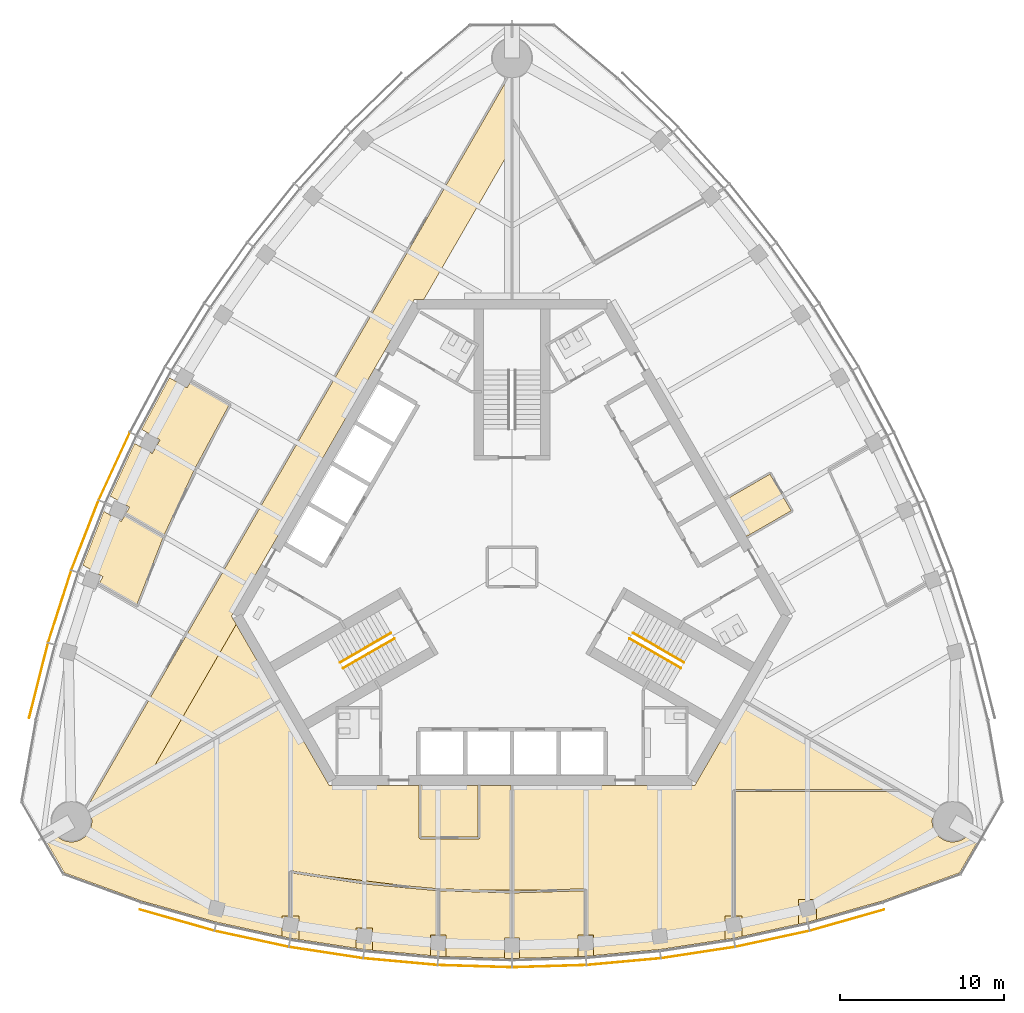
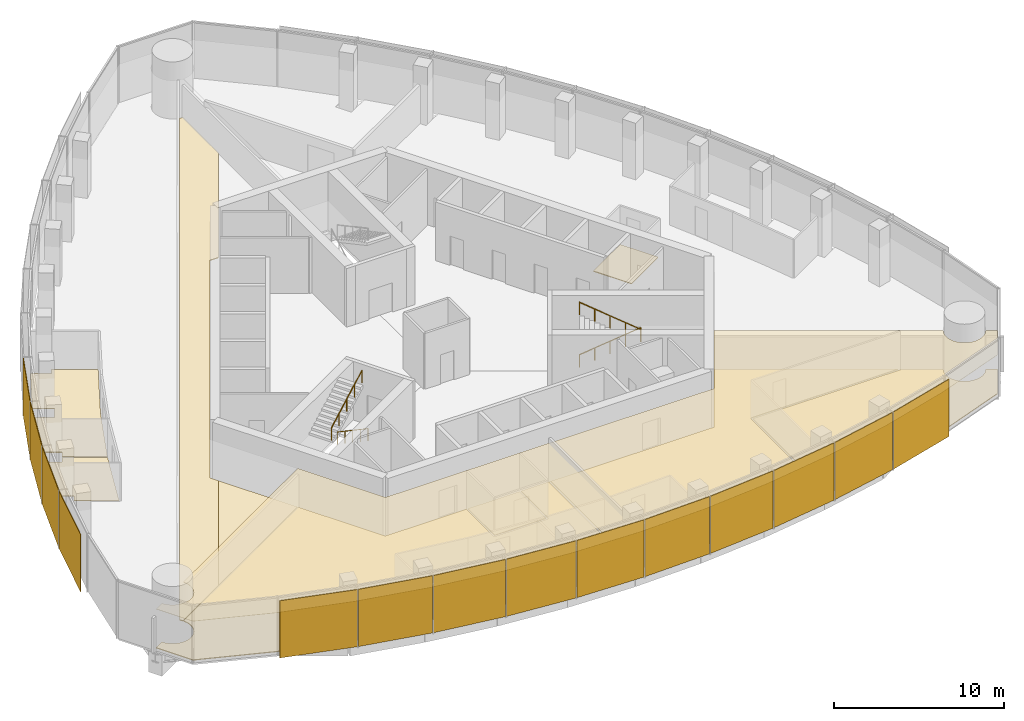
# One storey, part 12 of 16: 14 shading devices, 12 coverings, 4 railings.
"""IFC4 building model written with IfcOpenShell, lengths in metres."""

from ifc_helpers import new_model, si_unit, direction, frame, origin, origin_2d, place, context, subcontext, project, spatial, polyline, rectangle, circle, outline, extrude, material, layer, layer_set, type_object, element, save


model = new_model("IFC4")

# Units and contexts
model_context = context("Model", 3, precision=1e-05, world=origin(), true_north=direction((0.0, 1.0)))
body_context = subcontext(model_context, "Body", "Model", "MODEL_VIEW")
ifc_project = project(units=[si_unit("LENGTHUNIT", "METRE"), si_unit("AREAUNIT", "SQUARE_METRE"), si_unit("VOLUMEUNIT", "CUBIC_METRE"), si_unit("PLANEANGLEUNIT", "RADIAN"), si_unit("MASSUNIT", "GRAM", prefix="KILO")], contexts=[model_context])

# Site, building, storey
site_placement = place(None, origin())
site = spatial("IfcSite", under=ifc_project, at=site_placement, CompositionType="ELEMENT")
building_placement = place(site_placement, origin())
building = spatial("IfcBuilding", under=site, at=building_placement, Name="Trefoil Bronze Tower", CompositionType="ELEMENT")
storey_placement = place(building_placement, frame((0.0, 0.0, 309.89990234375)))
storey = spatial("IfcBuildingStorey", under=building, at=storey_placement, Name="L71", CompositionType="ELEMENT", Elevation=309.89990234375)

# Shading devices
ifc_material_1 = material(Name="Perforated bronze sheet", Category="bronze")
ifc_layer_1 = layer(ifc_material_1, 0.0400390625)
ifc_layer_set_1 = layer_set([ifc_layer_1], Name="Bronze solar screen panel")
shading_device_type = type_object("IfcShadingDeviceType", Name="Bronze solar screen panel", PredefinedType="SHUTTER", material=ifc_layer_set_1)
shading_device_1_placement = place(storey_placement, frame((-20.42138671875, -21.515625, 0.050048828125), z_axis=(0.0, 0.0, 1.0), x_axis=(0.962097746943, -0.272704831875, 0.0)))
element("IfcShadingDevice", 1, at=shading_device_1_placement, inside=storey, type_object=shading_device_type, Name="Solar screen CW-A L71 F1 bay 1", PredefinedType="SHUTTER", context=body_context, shape_type="SweptSolid", body=[
    extrude(rectangle(XDim=4.697509765625, YDim=0.0400390625, at=origin_2d()), origin(), (0.0, 0.0, 1.0), 4.10009765625),
])
shading_device_2_placement = place(storey_placement, frame((-15.864501953125, -22.65625, 0.050048828125), z_axis=(0.0, 0.0, 1.0), x_axis=(0.977303138829, -0.211845639168, 0.0)))
element("IfcShadingDevice", 2, at=shading_device_2_placement, inside=storey, type_object=shading_device_type, Name="Solar screen CW-A L71 F1 bay 2", PredefinedType="SHUTTER", context=body_context, shape_type="SweptSolid", body=[
    extrude(rectangle(XDim=4.574462890625, YDim=0.0400390625, at=origin_2d()), origin(), (0.0, 0.0, 1.0), 4.10009765625),
])
shading_device_3_placement = place(storey_placement, frame((-11.331787109375, -23.494384765625, 0.050048828125), z_axis=(0.0, 0.0, 1.0), x_axis=(0.988485337216, -0.151316681529, 0.0)))
element("IfcShadingDevice", 3, at=shading_device_3_placement, inside=storey, type_object=shading_device_type, Name="Solar screen CW-A L71 F1 bay 3", PredefinedType="SHUTTER", context=body_context, shape_type="SweptSolid", body=[
    extrude(rectangle(XDim=4.5224609375, YDim=0.0400390625, at=origin_2d()), origin(), (0.0, 0.0, 1.0), 4.10009765625),
])
shading_device_4_placement = place(storey_placement, frame((-6.799072265625, -24.048095703125, 0.050048828125), z_axis=(0.0, 0.0, 1.0), x_axis=(0.99587011625, -0.090789380212, 0.0)))
element("IfcShadingDevice", 4, at=shading_device_4_placement, inside=storey, type_object=shading_device_type, Name="Solar screen CW-A L71 F1 bay 4", PredefinedType="SHUTTER", context=body_context, shape_type="SweptSolid", body=[
    extrude(rectangle(XDim=4.48876953125, YDim=0.0400390625, at=origin_2d()), origin(), (0.0, 0.0, 1.0), 4.10009765625),
])
for number, where, z_axis, x_axis, name in (
    (5, (-2.266357421875, -24.3232421875, 0.050048828125), (0.0, 0.0, 1.0), (0.999541969785, -0.030263024264, 0.0), "Solar screen CW-A L71 F1 bay 5"),
    (6, (2.266357421875, -24.3232421875, 0.050048828125), (0.0, 0.0, 1.0), (0.999541969785, 0.030263024264, 0.0), "Solar screen CW-A L71 F1 bay 6"),
):
    element("IfcShadingDevice", number, at=place(storey_placement, frame(where, z_axis=z_axis, x_axis=x_axis)), inside=storey, type_object=shading_device_type, Name=name, PredefinedType="SHUTTER", context=body_context, shape_type="SweptSolid", body=[
        extrude(rectangle(XDim=4.47216796875, YDim=0.0400390625, at=origin_2d()), origin(), (0.0, 0.0, 1.0), 4.10009765625),
    ])
shading_device_5_placement = place(storey_placement, frame((6.799072265625, -24.048095703125, 0.050048828125), z_axis=(0.0, 0.0, 1.0), x_axis=(0.99587011625, 0.090789380212, 0.0)))
element("IfcShadingDevice", 7, at=shading_device_5_placement, inside=storey, type_object=shading_device_type, Name="Solar screen CW-A L71 F1 bay 7", PredefinedType="SHUTTER", context=body_context, shape_type="SweptSolid", body=[
    extrude(rectangle(XDim=4.48876953125, YDim=0.0400390625, at=origin_2d()), origin(), (0.0, 0.0, 1.0), 4.10009765625),
])
shading_device_6_placement = place(storey_placement, frame((11.331787109375, -23.494384765625, 0.050048828125), z_axis=(0.0, 0.0, 1.0), x_axis=(0.988485337216, 0.151316681529, 0.0)))
element("IfcShadingDevice", 8, at=shading_device_6_placement, inside=storey, type_object=shading_device_type, Name="Solar screen CW-A L71 F1 bay 8", PredefinedType="SHUTTER", context=body_context, shape_type="SweptSolid", body=[
    extrude(rectangle(XDim=4.5224609375, YDim=0.0400390625, at=origin_2d()), origin(), (0.0, 0.0, 1.0), 4.10009765625),
])
shading_device_7_placement = place(storey_placement, frame((15.864501953125, -22.65625, 0.050048828125), z_axis=(0.0, 0.0, 1.0), x_axis=(0.977303138829, 0.211845639168, 0.0)))
element("IfcShadingDevice", 9, at=shading_device_7_placement, inside=storey, type_object=shading_device_type, Name="Solar screen CW-A L71 F1 bay 9", PredefinedType="SHUTTER", context=body_context, shape_type="SweptSolid", body=[
    extrude(rectangle(XDim=4.574462890625, YDim=0.0400390625, at=origin_2d()), origin(), (0.0, 0.0, 1.0), 4.10009765625),
])
shading_device_8_placement = place(storey_placement, frame((20.42138671875, -21.515625, 0.050048828125), z_axis=(0.0, 0.0, 1.0), x_axis=(0.962097746943, 0.272704831875, 0.0)))
element("IfcShadingDevice", 10, at=shading_device_8_placement, inside=storey, type_object=shading_device_type, Name="Solar screen CW-A L71 F1 bay 10", PredefinedType="SHUTTER", context=body_context, shape_type="SweptSolid", body=[
    extrude(rectangle(XDim=4.697509765625, YDim=0.0400390625, at=origin_2d()), origin(), (0.0, 0.0, 1.0), 4.10009765625),
])
shading_device_9_placement = place(storey_placement, frame((-24.2255859375, 6.135986328125, 0.050048828125), z_axis=(0.0, 0.0, 1.0), x_axis=(-0.419309148468, -0.907843509649, 0.0)))
element("IfcShadingDevice", 11, at=shading_device_9_placement, inside=storey, type_object=shading_device_type, Name="Solar screen CW-A L71 F3 bay 7", PredefinedType="SHUTTER", context=body_context, shape_type="SweptSolid", body=[
    extrude(rectangle(XDim=4.48876953125, YDim=0.0400390625, at=origin_2d()), origin(), (0.0, 0.0, 1.0), 4.10009765625),
])
shading_device_10_placement = place(storey_placement, frame((-26.0126953125, 1.93359375, 0.050048828125), z_axis=(0.0, 0.0, 1.0), x_axis=(-0.363198578387, -0.931711754062, 0.0)))
element("IfcShadingDevice", 12, at=shading_device_10_placement, inside=storey, type_object=shading_device_type, Name="Solar screen CW-A L71 F3 bay 8", PredefinedType="SHUTTER", context=body_context, shape_type="SweptSolid", body=[
    extrude(rectangle(XDim=4.5224609375, YDim=0.0400390625, at=origin_2d()), origin(), (0.0, 0.0, 1.0), 4.10009765625),
])
shading_device_11_placement = place(storey_placement, frame((-27.55322265625, -2.410888671875, 0.050048828125), z_axis=(0.0, 0.0, 1.0), x_axis=(-0.305187864214, -0.952292165009, 0.0)))
element("IfcShadingDevice", 13, at=shading_device_11_placement, inside=storey, type_object=shading_device_type, Name="Solar screen CW-A L71 F3 bay 9", PredefinedType="SHUTTER", context=body_context, shape_type="SweptSolid", body=[
    extrude(rectangle(XDim=4.574462890625, YDim=0.0400390625, at=origin_2d()), origin(), (0.0, 0.0, 1.0), 4.10009765625),
])
shading_device_12_placement = place(storey_placement, frame((-28.843994140625, -6.927490234375, 0.050048828125), z_axis=(0.0, 0.0, 1.0), x_axis=(-0.244879561333, -0.969553505713, 0.0)))
element("IfcShadingDevice", 14, at=shading_device_12_placement, inside=storey, type_object=shading_device_type, Name="Solar screen CW-A L71 F3 bay 10", PredefinedType="SHUTTER", context=body_context, shape_type="SweptSolid", body=[
    extrude(rectangle(XDim=4.697509765625, YDim=0.0400390625, at=origin_2d()), origin(), (0.0, 0.0, 1.0), 4.10009765625),
])

# Railings
ifc_material_2 = material(Name="Steel handrail", Category="steel")
railing_type = type_object("IfcRailingType", Name="Handrail 900", PredefinedType="HANDRAIL", material=ifc_material_2)
railing_1_placement = place(storey_placement, frame((7.365966796875, -4.021728515625, 0.16162109375)))
element("IfcRailing", 15, at=railing_1_placement, inside=storey, type_object=railing_type, Name="Handrail ST1 flight 1 L71", PredefinedType="HANDRAIL", context=body_context, shape_type="SweptSolid", body=[
    extrude(circle(Radius=0.02392578125, at=origin_2d()), frame((0.0, 0.0, 0.8759765625), z_axis=(0.76250339821, -0.440245697338, 0.474101564745), x_axis=(0.500012057535, 0.866018442252, 0.0)), (0.0, 0.0, 1.0), 4.088623046875),
    extrude(circle(Radius=0.02099609375, at=origin_2d()), origin(), (0.0, 0.0, 1.0), 0.851806640625),
    extrude(circle(Radius=0.02099609375, at=origin_2d()), frame((0.779296875, -0.449951171875, 0.484619140625)), (0.0, 0.0, 1.0), 0.851806640625),
    extrude(circle(Radius=0.02099609375, at=origin_2d()), frame((1.558837890625, -0.89990234375, 0.96923828125)), (0.0, 0.0, 1.0), 0.851806640625),
    extrude(circle(Radius=0.02099609375, at=origin_2d()), frame((2.33837890625, -1.35009765625, 1.453857421875)), (0.0, 0.0, 1.0), 0.851806640625),
    extrude(circle(Radius=0.02099609375, at=origin_2d()), frame((3.11767578125, -1.800048828125, 1.9384765625)), (0.0, 0.0, 1.0), 0.851806640625),
])
railing_2_placement = place(storey_placement, frame((10.28369140625, -6.168212890625, 2.26171875)))
element("IfcRailing", 16, at=railing_2_placement, inside=storey, type_object=railing_type, Name="Handrail ST1 flight 2 L71", PredefinedType="HANDRAIL", context=body_context, shape_type="SweptSolid", body=[
    extrude(circle(Radius=0.02392578125, at=origin_2d()), frame((0.0, 0.0, 0.8759765625), z_axis=(-0.76250339821, 0.440245697338, 0.474101564745), x_axis=(-0.500012057535, -0.866018442252, 0.0)), (0.0, 0.0, 1.0), 4.088623046875),
    extrude(circle(Radius=0.02099609375, at=origin_2d()), origin(), (0.0, 0.0, 1.0), 0.851806640625),
    extrude(circle(Radius=0.02099609375, at=origin_2d()), frame((-0.779296875, 0.449951171875, 0.484619140625)), (0.0, 0.0, 1.0), 0.851806640625),
    extrude(circle(Radius=0.02099609375, at=origin_2d()), frame((-1.558837890625, 0.89990234375, 0.96923828125)), (0.0, 0.0, 1.0), 0.851806640625),
    extrude(circle(Radius=0.02099609375, at=origin_2d()), frame((-2.33837890625, 1.35009765625, 1.453857421875)), (0.0, 0.0, 1.0), 0.851806640625),
    extrude(circle(Radius=0.02099609375, at=origin_2d()), frame((-3.11767578125, 1.800048828125, 1.9384765625)), (0.0, 0.0, 1.0), 0.851806640625),
])
railing_3_placement = place(storey_placement, frame((-7.166015625, -4.3681640625, 0.16162109375)))
element("IfcRailing", 17, at=railing_3_placement, inside=storey, type_object=railing_type, Name="Handrail ST3 flight 1 L71", PredefinedType="HANDRAIL", context=body_context, shape_type="SweptSolid", body=[
    extrude(circle(Radius=0.02392578125, at=origin_2d()), frame((0.0, 0.0, 0.8759765625), z_axis=(-0.76250339821, -0.440245697338, 0.474101564745), x_axis=(0.500012057535, -0.866018442252, 0.0)), (0.0, 0.0, 1.0), 4.088623046875),
    extrude(circle(Radius=0.02099609375, at=origin_2d()), origin(), (0.0, 0.0, 1.0), 0.851806640625),
    extrude(circle(Radius=0.02099609375, at=origin_2d()), frame((-0.779296875, -0.449951171875, 0.484619140625)), (0.0, 0.0, 1.0), 0.851806640625),
    extrude(circle(Radius=0.02099609375, at=origin_2d()), frame((-1.558837890625, -0.89990234375, 0.96923828125)), (0.0, 0.0, 1.0), 0.851806640625),
    extrude(circle(Radius=0.02099609375, at=origin_2d()), frame((-2.33837890625, -1.35009765625, 1.453857421875)), (0.0, 0.0, 1.0), 0.851806640625),
    extrude(circle(Radius=0.02099609375, at=origin_2d()), frame((-3.11767578125, -1.800048828125, 1.9384765625)), (0.0, 0.0, 1.0), 0.851806640625),
])
railing_4_placement = place(storey_placement, frame((-10.483642578125, -5.82177734375, 2.26171875)))
element("IfcRailing", 18, at=railing_4_placement, inside=storey, type_object=railing_type, Name="Handrail ST3 flight 2 L71", PredefinedType="HANDRAIL", context=body_context, shape_type="SweptSolid", body=[
    extrude(circle(Radius=0.02392578125, at=origin_2d()), frame((0.0, 0.0, 0.8759765625), z_axis=(0.76250339821, 0.440245697338, 0.474101564745), x_axis=(-0.500012057535, 0.866018442252, 0.0)), (0.0, 0.0, 1.0), 4.088623046875),
    extrude(circle(Radius=0.02099609375, at=origin_2d()), origin(), (0.0, 0.0, 1.0), 0.851806640625),
    extrude(circle(Radius=0.02099609375, at=origin_2d()), frame((0.779296875, 0.449951171875, 0.484619140625)), (0.0, 0.0, 1.0), 0.851806640625),
    extrude(circle(Radius=0.02099609375, at=origin_2d()), frame((1.558837890625, 0.89990234375, 0.96923828125)), (0.0, 0.0, 1.0), 0.851806640625),
    extrude(circle(Radius=0.02099609375, at=origin_2d()), frame((2.33837890625, 1.35009765625, 1.453857421875)), (0.0, 0.0, 1.0), 0.851806640625),
    extrude(circle(Radius=0.02099609375, at=origin_2d()), frame((3.11767578125, 1.800048828125, 1.9384765625)), (0.0, 0.0, 1.0), 0.851806640625),
])

# Coverings
ifc_material_3 = material(Name="Acoustic ceiling panels", Category="mineral fibre")
ifc_layer_2 = layer(ifc_material_3, 0.02001953125)
ifc_layer_set_2 = layer_set([ifc_layer_2], Name="Office ceiling 20")
covering_type_1 = type_object("IfcCoveringType", Name="Office ceiling 20", PredefinedType="CEILING", material=ifc_layer_set_2)
covering_1_placement = place(storey_placement, frame((0.0, 0.0, 2.900146484375)))
element("IfcCovering", 19, at=covering_1_placement, inside=storey, type_object=covering_type_1, Name="Ceiling L71 PA area F1", PredefinedType="CEILING", context=body_context, shape_type="SweptSolid", body=[
    extrude(outline(polyline([(-27.885986328125, -16.194580078125), (-27.850830078125, -16.24462890625), (-27.81298828125, -16.29296875), (-27.77294921875, -16.33935546875), (-27.730712890625, -16.3837890625), (-27.686279296875, -16.42626953125), (-27.639892578125, -16.46630859375), (-27.59130859375, -16.50390625), (-27.541259765625, -16.539306640625), (-27.489501953125, -16.572265625), (-27.43603515625, -16.602294921875), (-27.381103515625, -16.6298828125), (-27.3251953125, -16.65478515625), (-27.267822265625, -16.677001953125), (-27.209716796875, -16.6962890625), (-27.150390625, -16.71240234375), (-27.0908203125, -16.72607421875), (-27.0302734375, -16.736572265625), (-26.96923828125, -16.743896484375), (-26.908203125, -16.74853515625), (-26.8466796875, -16.75), (-26.785400390625, -16.74853515625), (-26.724365234375, -16.743896484375), (-26.663330078125, -16.736572265625), (-26.602783203125, -16.72607421875), (-26.543212890625, -16.71240234375), (-26.48388671875, -16.6962890625), (-26.42578125, -16.677001953125), (-26.368408203125, -16.65478515625), (-26.312255859375, -16.6298828125), (-26.257568359375, -16.602294921875), (-26.2041015625, -16.572265625), (-26.15234375, -16.539306640625), (-26.102294921875, -16.50390625), (-26.0537109375, -16.46630859375), (-26.00732421875, -16.42626953125), (-25.962890625, -16.3837890625), (-25.920654296875, -16.33935546875), (-25.880615234375, -16.29296875), (-25.8427734375, -16.24462890625), (-25.8076171875, -16.194580078125), (-25.774658203125, -16.142578125), (-25.744384765625, -16.089111328125), (-25.716796875, -16.034423828125), (-25.69189453125, -15.978515625), (-25.669921875, -15.921142578125), (-25.650634765625, -15.86279296875), (-25.63427734375, -15.8037109375), (-25.620849609375, -15.743896484375), (-25.6103515625, -15.683349609375), (-25.602783203125, -15.62255859375), (-25.598388671875, -15.561279296875), (-25.5966796875, -15.5), (-25.598388671875, -15.438720703125), (-25.602783203125, -15.37744140625), (-25.6103515625, -15.316650390625), (-25.620849609375, -15.256103515625), (-25.63427734375, -15.1962890625), (-25.650634765625, -15.13720703125), (-25.669921875, -15.078857421875), (-25.69189453125, -15.021484375), (-25.716796875, -14.965576171875), (-25.759033203125, -14.885009765625), (-14.11328125, -8.1552734375), (-11.142822265625, -13.300048828125), (11.142822265625, -13.300048828125), (14.11328125, -8.1552734375), (25.759033203125, -14.885009765625), (25.716796875, -14.965576171875), (25.69189453125, -15.021484375), (25.669921875, -15.078857421875), (25.650634765625, -15.13720703125), (25.63427734375, -15.1962890625), (25.620849609375, -15.256103515625), (25.6103515625, -15.316650390625), (25.602783203125, -15.37744140625), (25.598388671875, -15.438720703125), (25.5966796875, -15.5), (25.598388671875, -15.561279296875), (25.602783203125, -15.62255859375), (25.6103515625, -15.683349609375), (25.620849609375, -15.743896484375), (25.63427734375, -15.8037109375), (25.650634765625, -15.86279296875), (25.669921875, -15.921142578125), (25.69189453125, -15.978515625), (25.716796875, -16.034423828125), (25.744384765625, -16.089111328125), (25.774658203125, -16.142578125), (25.8076171875, -16.194580078125), (25.8427734375, -16.24462890625), (25.880615234375, -16.29296875), (25.920654296875, -16.33935546875), (25.962890625, -16.3837890625), (26.00732421875, -16.42626953125), (26.0537109375, -16.46630859375), (26.102294921875, -16.50390625), (26.15234375, -16.539306640625), (26.2041015625, -16.572265625), (26.257568359375, -16.602294921875), (26.312255859375, -16.6298828125), (26.368408203125, -16.65478515625), (26.42578125, -16.677001953125), (26.48388671875, -16.6962890625), (26.543212890625, -16.71240234375), (26.602783203125, -16.72607421875), (26.663330078125, -16.736572265625), (26.724365234375, -16.743896484375), (26.785400390625, -16.74853515625), (26.8466796875, -16.75), (26.908203125, -16.74853515625), (26.96923828125, -16.743896484375), (27.0302734375, -16.736572265625), (27.0908203125, -16.72607421875), (27.150390625, -16.71240234375), (27.209716796875, -16.6962890625), (27.267822265625, -16.677001953125), (27.3251953125, -16.65478515625), (27.381103515625, -16.6298828125), (27.43603515625, -16.602294921875), (27.489501953125, -16.572265625), (27.541259765625, -16.539306640625), (27.59130859375, -16.50390625), (27.639892578125, -16.46630859375), (27.686279296875, -16.42626953125), (27.730712890625, -16.3837890625), (27.77294921875, -16.33935546875), (27.81298828125, -16.29296875), (27.850830078125, -16.24462890625), (27.885986328125, -16.194580078125), (27.923095703125, -16.135498046875), (28.510009765625, -16.474609375), (27.26220703125, -18.635986328125), (22.54833984375, -20.3515625), (18.0, -21.640869140625), (13.5, -22.6162109375), (9.0, -23.30517578125), (4.5, -23.71533203125), (0.0, -23.8515625), (-4.5, -23.71533203125), (-9.0, -23.30517578125), (-13.5, -22.6162109375), (-18.0, -21.640869140625), (-22.54833984375, -20.3515625), (-27.26220703125, -18.635986328125), (-28.510009765625, -16.474609375), (-27.923095703125, -16.135498046875), (-27.885986328125, -16.194580078125)])), origin(), (0.0, 0.0, 1.0), 0.02001953125),
])
ifc_material_4 = material(Name="Raised access floor panels", Category="steel")
ifc_layer_3 = layer(ifc_material_4, 0.050048828125)
ifc_layer_set_3 = layer_set([ifc_layer_3], Name="Raised access floor 150")
covering_type_2 = type_object("IfcCoveringType", Name="Raised access floor 150", PredefinedType="FLOORING", material=ifc_layer_set_3)
covering_2_placement = place(storey_placement, frame((0.0, 0.0, 0.10009765625)))
element("IfcCovering", 20, at=covering_2_placement, inside=storey, type_object=covering_type_2, Name="Raised floor L71 Chairman's office F1", PredefinedType="FLOORING", context=body_context, shape_type="SweptSolid", body=[
    extrude(outline(polyline([(27.26220703125, -18.635986328125), (22.54833984375, -20.3515625), (18.546875, -21.48583984375), (18.546875, -20.269287109375), (17.453125, -20.269287109375), (17.453125, -21.75927734375), (14.025390625, -22.50244140625), (14.025390625, -21.27734375), (13.56005859375, -21.27734375), (13.56005859375, -13.679931640625), (23.570068359375, -13.679931640625), (23.570068359375, -13.6201171875), (25.759033203125, -14.885009765625), (25.716796875, -14.965576171875), (25.69189453125, -15.021484375), (25.669921875, -15.078857421875), (25.650634765625, -15.13720703125), (25.63427734375, -15.1962890625), (25.620849609375, -15.256103515625), (25.6103515625, -15.316650390625), (25.602783203125, -15.37744140625), (25.598388671875, -15.438720703125), (25.5966796875, -15.5), (25.598388671875, -15.561279296875), (25.602783203125, -15.62255859375), (25.6103515625, -15.683349609375), (25.620849609375, -15.743896484375), (25.63427734375, -15.8037109375), (25.650634765625, -15.86279296875), (25.669921875, -15.921142578125), (25.69189453125, -15.978515625), (25.716796875, -16.034423828125), (25.744384765625, -16.089111328125), (25.774658203125, -16.142578125), (25.8076171875, -16.194580078125), (25.8427734375, -16.24462890625), (25.880615234375, -16.29296875), (25.920654296875, -16.33935546875), (25.962890625, -16.3837890625), (26.00732421875, -16.42626953125), (26.0537109375, -16.46630859375), (26.102294921875, -16.50390625), (26.15234375, -16.539306640625), (26.2041015625, -16.572265625), (26.257568359375, -16.602294921875), (26.312255859375, -16.6298828125), (26.368408203125, -16.65478515625), (26.42578125, -16.677001953125), (26.48388671875, -16.6962890625), (26.543212890625, -16.71240234375), (26.602783203125, -16.72607421875), (26.663330078125, -16.736572265625), (26.724365234375, -16.743896484375), (26.785400390625, -16.74853515625), (26.8466796875, -16.75), (26.908203125, -16.74853515625), (26.96923828125, -16.743896484375), (27.0302734375, -16.736572265625), (27.0908203125, -16.72607421875), (27.150390625, -16.71240234375), (27.209716796875, -16.6962890625), (27.267822265625, -16.677001953125), (27.3251953125, -16.65478515625), (27.381103515625, -16.6298828125), (27.43603515625, -16.602294921875), (27.489501953125, -16.572265625), (27.541259765625, -16.539306640625), (27.59130859375, -16.50390625), (27.639892578125, -16.46630859375), (27.686279296875, -16.42626953125), (27.730712890625, -16.3837890625), (27.77294921875, -16.33935546875), (27.81298828125, -16.29296875), (27.850830078125, -16.24462890625), (27.885986328125, -16.194580078125), (27.923095703125, -16.135498046875), (28.510009765625, -16.474609375), (27.26220703125, -18.635986328125)])), origin(), (0.0, 0.0, 1.0), 0.050048828125),
])
covering_3_placement = place(storey_placement, frame((0.0, 0.0, 0.10009765625)))
element("IfcCovering", 21, at=covering_3_placement, inside=storey, type_object=covering_type_2, Name="Raised floor L71 Meeting room F1", PredefinedType="FLOORING", context=body_context, shape_type="SweptSolid", body=[
    extrude(outline(polyline([(-2.06005859375, -13.300048828125), (-2.06005859375, -16.43994140625), (-5.5400390625, -16.43994140625), (-5.5400390625, -13.300048828125), (-2.06005859375, -13.300048828125)])), origin(), (0.0, 0.0, 1.0), 0.050048828125),
])
covering_4_placement = place(storey_placement, frame((0.0, 0.0, 0.10009765625)))
element("IfcCovering", 22, at=covering_4_placement, inside=storey, type_object=covering_type_2, Name="Raised floor L71 Executive office F1", PredefinedType="FLOORING", context=body_context, shape_type="SweptSolid", body=[
    extrude(outline(polyline([(-8.497802734375, -23.350830078125), (-8.497802734375, -21.996826171875), (-9.502197265625, -21.996826171875), (-9.502197265625, -23.228271484375), (-12.974609375, -22.69677734375), (-12.974609375, -21.27734375), (-13.43994140625, -21.27734375), (-13.43994140625, -18.635986328125), (-9.009033203125, -19.314453125), (-9.0, -19.255126953125), (-9.00537109375, -19.31494140625), (-4.56005859375, -19.72021484375), (-4.56005859375, -22.43310546875), (-4.5, -22.43310546875), (-4.5, -22.436279296875), (-4.9775390625, -22.436279296875), (-4.9775390625, -23.671875), (-8.497802734375, -23.350830078125)])), origin(), (0.0, 0.0, 1.0), 0.050048828125),
])
covering_5_placement = place(storey_placement, frame((0.0, 0.0, 0.10009765625)))
element("IfcCovering", 23, at=covering_5_placement, inside=storey, type_object=covering_type_2, Name="Raised floor L71 Executive office F1", PredefinedType="FLOORING", context=body_context, shape_type="SweptSolid", body=[
    extrude(outline(polyline([(0.450927734375, -23.837890625), (0.450927734375, -22.6005859375), (-0.450927734375, -22.6005859375), (-0.450927734375, -23.837890625), (-4.0224609375, -23.729736328125), (-4.0224609375, -22.436279296875), (-4.5, -22.436279296875), (-4.5, -22.43310546875), (-4.43994140625, -22.43310546875), (-4.43994140625, -19.727294921875), (-0.074951171875, -19.859375), (-0.074951171875, -22.571533203125), (0.074951171875, -22.571533203125), (0.074951171875, -19.859375), (4.43994140625, -19.727294921875), (4.43994140625, -22.43310546875), (4.5, -22.43310546875), (4.5, -22.436279296875), (4.0224609375, -22.436279296875), (4.0224609375, -23.729736328125), (0.450927734375, -23.837890625)])), origin(), (0.0, 0.0, 1.0), 0.050048828125),
])
covering_6_placement = place(storey_placement, frame((0.0, 0.0, 0.10009765625)))
element("IfcCovering", 24, at=covering_6_placement, inside=storey, type_object=covering_type_2, Name="Raised floor L71 PA area F1", PredefinedType="FLOORING", context=body_context, shape_type="SweptSolid", body=[
    extrude(outline(polyline([(-25.759033203125, -14.885009765625), (-14.11328125, -8.1552734375), (-11.142822265625, -13.300048828125), (-5.659912109375, -13.300048828125), (-5.659912109375, -16.5), (-5.60009765625, -16.5), (-5.60009765625, -16.56005859375), (-2.0, -16.56005859375), (-2.0, -16.5), (-1.93994140625, -16.5), (-1.93994140625, -13.300048828125), (-0.0009765625, -13.300048828125), (-0.0009765625, -13.31005859375), (-0.074951171875, -13.31005859375), (-0.074951171875, -19.665283203125), (-2.517333984375, -19.665283203125), (-4.496337890625, -19.60546875), (-6.4462890625, -19.427734375), (-11.539306640625, -18.8056640625), (-13.490966796875, -18.5068359375), (-13.5, -18.566162109375), (-13.56005859375, -18.566162109375), (-13.56005859375, -21.27734375), (-14.025390625, -21.27734375), (-14.025390625, -22.50244140625), (-18.0, -21.640869140625), (-22.54833984375, -20.3515625), (-27.26220703125, -18.635986328125), (-28.510009765625, -16.474609375), (-27.923095703125, -16.135498046875), (-27.885986328125, -16.194580078125), (-27.850830078125, -16.24462890625), (-27.81298828125, -16.29296875), (-27.77294921875, -16.33935546875), (-27.730712890625, -16.3837890625), (-27.686279296875, -16.42626953125), (-27.639892578125, -16.46630859375), (-27.59130859375, -16.50390625), (-27.541259765625, -16.539306640625), (-27.489501953125, -16.572265625), (-27.43603515625, -16.602294921875), (-27.381103515625, -16.6298828125), (-27.3251953125, -16.65478515625), (-27.267822265625, -16.677001953125), (-27.209716796875, -16.6962890625), (-27.150390625, -16.71240234375), (-27.0908203125, -16.72607421875), (-27.0302734375, -16.736572265625), (-26.96923828125, -16.743896484375), (-26.908203125, -16.74853515625), (-26.8466796875, -16.75), (-26.785400390625, -16.74853515625), (-26.724365234375, -16.743896484375), (-26.663330078125, -16.736572265625), (-26.602783203125, -16.72607421875), (-26.543212890625, -16.71240234375), (-26.48388671875, -16.6962890625), (-26.42578125, -16.677001953125), (-26.368408203125, -16.65478515625), (-26.312255859375, -16.6298828125), (-26.257568359375, -16.602294921875), (-26.2041015625, -16.572265625), (-26.15234375, -16.539306640625), (-26.102294921875, -16.50390625), (-26.0537109375, -16.46630859375), (-26.00732421875, -16.42626953125), (-25.962890625, -16.3837890625), (-25.920654296875, -16.33935546875), (-25.880615234375, -16.29296875), (-25.8427734375, -16.24462890625), (-25.8076171875, -16.194580078125), (-25.774658203125, -16.142578125), (-25.744384765625, -16.089111328125), (-25.716796875, -16.034423828125), (-25.69189453125, -15.978515625), (-25.669921875, -15.921142578125), (-25.650634765625, -15.86279296875), (-25.63427734375, -15.8037109375), (-25.620849609375, -15.743896484375), (-25.6103515625, -15.683349609375), (-25.602783203125, -15.62255859375), (-25.598388671875, -15.561279296875), (-25.5966796875, -15.5), (-25.598388671875, -15.438720703125), (-25.602783203125, -15.37744140625), (-25.6103515625, -15.316650390625), (-25.620849609375, -15.256103515625), (-25.63427734375, -15.1962890625), (-25.650634765625, -15.13720703125), (-25.669921875, -15.078857421875), (-25.69189453125, -15.021484375), (-25.716796875, -14.965576171875), (-25.759033203125, -14.885009765625)])), origin(), (0.0, 0.0, 1.0), 0.050048828125),
])
covering_7_placement = place(storey_placement, frame((0.0, 0.0, 0.10009765625)))
element("IfcCovering", 25, at=covering_7_placement, inside=storey, type_object=covering_type_2, Name="Raised floor L71 PA area F1", PredefinedType="FLOORING", context=body_context, shape_type="SweptSolid", body=[
    extrude(outline(polyline([(9.0, -23.30517578125), (4.9775390625, -23.671875), (4.9775390625, -22.436279296875), (4.5, -22.436279296875), (4.5, -22.43310546875), (4.56005859375, -22.43310546875), (4.56005859375, -19.665283203125), (4.5, -19.665283203125), (4.498291015625, -19.60546875), (2.517333984375, -19.665283203125), (0.074951171875, -19.665283203125), (0.074951171875, -13.31005859375), (0.0009765625, -13.31005859375), (0.0009765625, -13.300048828125), (11.142822265625, -13.300048828125), (14.11328125, -8.1552734375), (23.46630859375, -13.56005859375), (13.5, -13.56005859375), (13.5, -13.6201171875), (13.43994140625, -13.6201171875), (13.43994140625, -21.27734375), (12.974609375, -21.27734375), (12.974609375, -22.69677734375), (9.0, -23.30517578125)])), origin(), (0.0, 0.0, 1.0), 0.050048828125),
])
covering_8_placement = place(storey_placement, frame((0.0, 0.0, 0.10009765625)))
element("IfcCovering", 26, at=covering_8_placement, inside=storey, type_object=covering_type_2, Name="Raised floor L71 Pantry F2", PredefinedType="FLOORING", context=body_context, shape_type="SweptSolid", body=[
    extrude(outline(polyline([(12.998046875, 4.086669921875), (15.717529296875, 5.656494140625), (17.007568359375, 3.422119140625), (14.2880859375, 1.852294921875), (12.998046875, 4.086669921875)])), origin(), (0.0, 0.0, 1.0), 0.050048828125),
])
covering_9_placement = place(storey_placement, frame((0.0, 0.0, 0.10009765625)))
element("IfcCovering", 27, at=covering_9_placement, inside=storey, type_object=covering_type_2, Name="Raised floor L71 Dining room F3", PredefinedType="FLOORING", context=body_context, shape_type="SweptSolid", body=[
    extrude(outline(polyline([(-22.989013671875, 7.525390625), (-21.919189453125, 6.90771484375), (-21.441650390625, 7.734619140625), (-22.56201171875, 8.38134765625), (-20.869873046875, 11.5283203125), (-19.798095703125, 10.90966796875), (-19.57275390625, 11.30029296875), (-19.547607421875, 11.285888671875), (-19.57763671875, 11.23388671875), (-17.22900390625, 9.8779296875), (-19.33349609375, 5.964111328125), (-19.28076171875, 5.935546875), (-19.335205078125, 5.960693359375), (-21.202392578125, 1.918212890625), (-23.519775390625, 3.256103515625), (-23.298583984375, 3.63916015625), (-24.47119140625, 4.316162109375), (-22.989013671875, 7.525390625)])), origin(), (0.0, 0.0, 1.0), 0.050048828125),
])
covering_10_placement = place(storey_placement, frame((0.0, 0.0, 0.10009765625)))
element("IfcCovering", 28, at=covering_10_placement, inside=storey, type_object=covering_type_2, Name="Raised floor L71 Meeting room F3", PredefinedType="FLOORING", context=body_context, shape_type="SweptSolid", body=[
    extrude(outline(polyline([(-24.867431640625, 3.385009765625), (-23.801025390625, 2.769287109375), (-23.579833984375, 3.152099609375), (-21.25, 1.80712890625), (-22.859375, -2.3212890625), (-25.146728515625, -1.000732421875), (-24.9140625, -0.59765625), (-26.143310546875, 0.112060546875), (-24.867431640625, 3.385009765625)])), origin(), (0.0, 0.0, 1.0), 0.050048828125),
])
covering_11_placement = place(storey_placement, frame((0.0, 0.0, 0.10009765625)))
element("IfcCovering", 29, at=covering_11_placement, inside=storey, type_object=covering_type_2, Name="Raised floor L71 Corridor F3", PredefinedType="FLOORING", context=body_context, shape_type="SweptSolid", body=[
    extrude(outline(polyline([(-0.061279296875, 29.75146484375), (-0.01123046875, 29.750244140625), (-0.009521484375, 25.58349609375), (-5.369384765625, 16.300048828125), (-5.94677734375, 16.300048828125), (-17.089599609375, -3.0), (-16.80078125, -3.5), (-22.16064453125, -12.783447265625), (-25.77001953125, -14.865478515625), (-25.8076171875, -14.805419921875), (-25.8427734375, -14.75537109375), (-25.880615234375, -14.70703125), (-25.908447265625, -14.6748046875), (-0.24560546875, 29.7744140625), (-0.183349609375, 29.763427734375), (-0.12255859375, 29.756103515625), (-0.061279296875, 29.75146484375)])), origin(), (0.0, 0.0, 1.0), 0.050048828125),
])
covering_12_placement = place(storey_placement, frame((0.0, 0.0, 0.10009765625)))
element("IfcCovering", 30, at=covering_12_placement, inside=storey, type_object=covering_type_2, Name="Raised floor L71 PA area F3", PredefinedType="FLOORING", context=body_context, shape_type="SweptSolid", body=[
    extrude(outline(polyline([(-14.119384765625, -8.144775390625), (-22.16064453125, -12.783447265625), (-16.80078125, -3.5), (-14.119384765625, -8.144775390625)])), origin(), (0.0, 0.0, 1.0), 0.050048828125),
])

save(model, "model.ifc")
